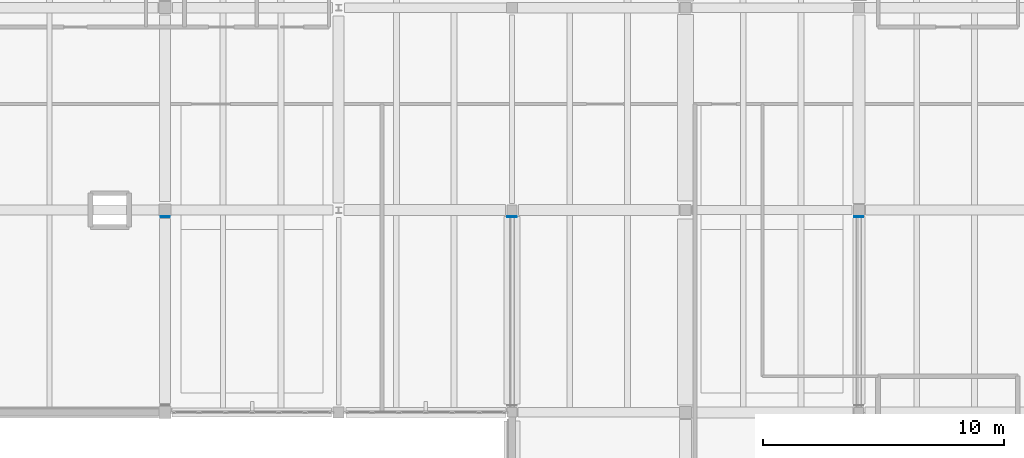
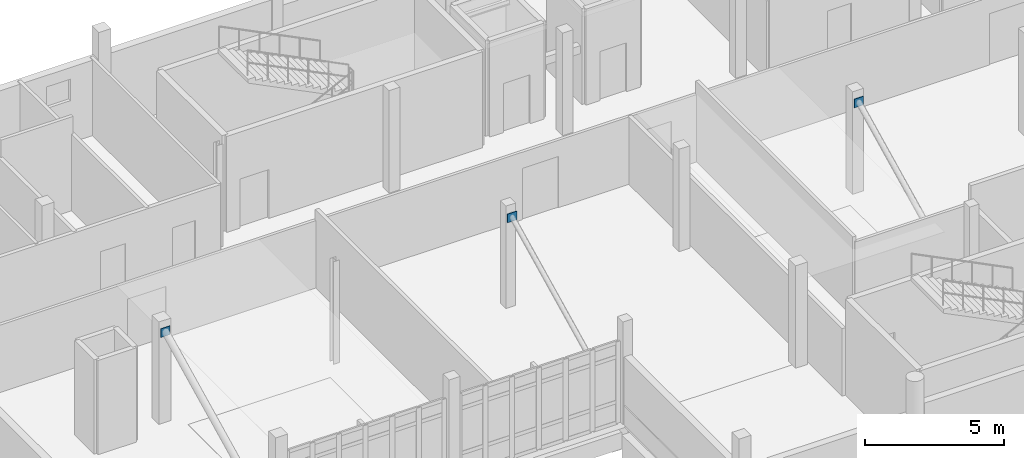
# One storey, part 27 of 34: 3 plates.
"""IFC4 building model written with IfcOpenShell, lengths in metres."""

from ifc_helpers import new_model, si_unit, direction, frame, origin, origin_2d, place, context, subcontext, project, spatial, rectangle, extrude, material, layer, layer_set, type_object, element, save


model = new_model("IFC4")

# Units and contexts
model_context = context("Model", 3, precision=1e-05, world=origin(), true_north=direction((0.0, 1.0)))
body_context = subcontext(model_context, "Body", "Model", "MODEL_VIEW")
ifc_project = project(units=[si_unit("LENGTHUNIT", "METRE"), si_unit("AREAUNIT", "SQUARE_METRE"), si_unit("VOLUMEUNIT", "CUBIC_METRE"), si_unit("PLANEANGLEUNIT", "RADIAN"), si_unit("MASSUNIT", "GRAM", prefix="KILO")], contexts=[model_context])

# Site, building, storey
site_placement = place(None, origin())
site = spatial("IfcSite", under=ifc_project, at=site_placement, CompositionType="ELEMENT")
building_placement = place(site_placement, origin())
building = spatial("IfcBuilding", under=site, at=building_placement, Name="Kalluvel Institute of Natural Sciences", CompositionType="ELEMENT")
storey_placement = place(building_placement, frame((0.0, 0.0, 36.89990234375)))
storey = spatial("IfcBuildingStorey", under=building, at=storey_placement, Name="L08", CompositionType="ELEMENT", Elevation=36.89990234375)

# Plates
ifc_material = material(Name="Steel E350 Grade 350", Category="steel")
ifc_layer = layer(ifc_material, 0.028076171875)
ifc_layer_set = layer_set([ifc_layer], Name="Steel E350 Grade 350")
plate_type = type_object("IfcPlateType", Name="PL-GUS-380x28", PredefinedType="USERDEFINED", material=ifc_layer_set)
for number, where, z_axis, x_axis, name in (
    (1, (21.199951171875, 110.919921875, 3.820068359375), (0.0, 0.0, 1.0), (1.0, 0.0, 0.0), "Crown lateral brace strut 1 node gusset and end cap plate N"),
    (2, (35.60009765625, 110.919921875, 3.820068359375), (0.0, 0.0, 1.0), (1.0, 0.0, 0.0), "Crown lateral brace strut 2 node gusset and end cap plate N"),
    (3, (50.0, 110.919921875, 3.820068359375), (0.0, 0.0, 1.0), (1.0, 0.0, 0.0), "Crown lateral brace strut 3 node gusset and end cap plate N"),
):
    element("IfcPlate", number, at=place(storey_placement, frame(where, z_axis=z_axis, x_axis=x_axis)), inside=storey, type_object=plate_type, Name=name, ObjectType="GUSSET PLATE", PredefinedType="USERDEFINED", context=body_context, shape_type="SweptSolid", body=[
        extrude(rectangle(XDim=0.3798828125, YDim=0.028076171875, at=origin_2d()), origin(), (0.0, 0.0, 1.0), 0.3798828125),
    ])

save(model, "model.ifc")
